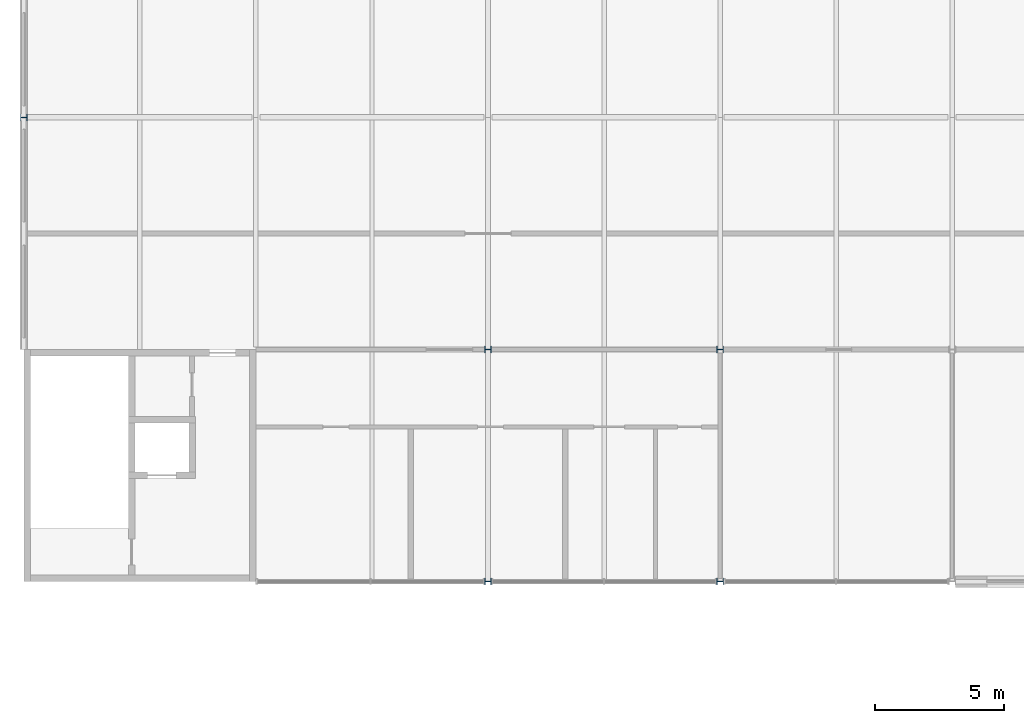
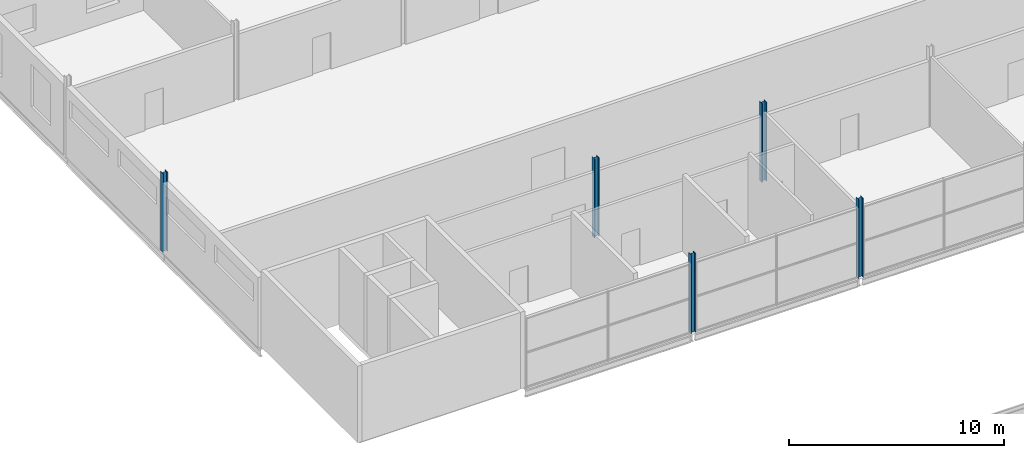
# One storey, part 5 of 138: 5 columns.
"""IFC4 building model written with IfcOpenShell, lengths in metres."""

from ifc_helpers import new_model, si_unit, direction, frame, origin, origin_2d, place, context, subcontext, project, spatial, i_section, extrude, material, material_profile, profile_set, type_object, element, save


model = new_model("IFC4")

# Units and contexts
model_context = context("Model", 3, precision=1e-05, world=origin(), true_north=direction((0.0, 1.0)))
body_context = subcontext(model_context, "Body", "Model", "MODEL_VIEW")
ifc_project = project(units=[si_unit("LENGTHUNIT", "METRE"), si_unit("AREAUNIT", "SQUARE_METRE"), si_unit("VOLUMEUNIT", "CUBIC_METRE"), si_unit("PLANEANGLEUNIT", "RADIAN"), si_unit("MASSUNIT", "GRAM", prefix="KILO")], contexts=[model_context])

# Site, building, storey
site_placement = place(None, origin())
site = spatial("IfcSite", under=ifc_project, at=site_placement, CompositionType="ELEMENT")
building_placement = place(site_placement, origin())
building = spatial("IfcBuilding", under=site, at=building_placement, Name="Corbel Yard City Hall", CompositionType="ELEMENT")
storey_placement = place(building_placement, frame((0.0, 0.0, 10.5)))
storey = spatial("IfcBuildingStorey", under=building, at=storey_placement, Name="L02", CompositionType="ELEMENT", Elevation=10.5)

# Columns
ifc_material = material(Name="Steel Grade 300 (300 MPa yield)", Category="steel")
ifc_material_profile_1 = material_profile(ifc_material, i_section(OverallWidth=0.25390625, OverallDepth=0.25390625, WebThickness=0.008544921875, FlangeThickness=0.01416015625, at=origin_2d()), Name="250UC72.9")
ifc_profile_set_1 = profile_set([ifc_material_profile_1], Name="Steel Grade 300 (300 MPa yield)")
column_type_1 = type_object("IfcColumnType", Name="Column 250UC72.9", PredefinedType="COLUMN", material=ifc_profile_set_1)
for number, where, z_axis, x_axis, name in (
    (1, (0.0, 63.0, 0.0), (0.0, 0.0, 1.0), (0.0, 1.0, 0.0), "Column 250UC72.9 H/1 L02"),
    (2, (18.0, 45.0, 0.0), (0.0, 0.0, 1.0), (0.0, 1.0, 0.0), "Column 250UC72.9 F/3 L02"),
    (3, (27.0, 45.0, 0.0), (0.0, 0.0, 1.0), (0.0, 1.0, 0.0), "Column 250UC72.9 F/4 L02"),
):
    element("IfcColumn", number, at=place(storey_placement, frame(where, z_axis=z_axis, x_axis=x_axis)), inside=storey, type_object=column_type_1, Name=name, PredefinedType="COLUMN", context=body_context, shape_type="SweptSolid", body=[
        extrude(i_section(OverallWidth=0.25390625, OverallDepth=0.25390625, WebThickness=0.008544921875, FlangeThickness=0.01416015625, at=origin_2d()), origin(), (0.0, 0.0, 1.0), 4.5),
    ])
ifc_material_profile_2 = material_profile(ifc_material, i_section(OverallWidth=0.256103515625, OverallDepth=0.260009765625, WebThickness=0.010498046875, FlangeThickness=0.017333984375, at=origin_2d()), Name="250UC89.5")
ifc_profile_set_2 = profile_set([ifc_material_profile_2], Name="Steel Grade 300 (300 MPa yield)")
column_type_2 = type_object("IfcColumnType", Name="Column 250UC89.5", PredefinedType="COLUMN", material=ifc_profile_set_2)
for number, where, z_axis, x_axis, name in (
    (4, (18.0, 54.0, 0.0), (0.0, 0.0, 1.0), (0.0, 1.0, 0.0), "Column 250UC89.5 G/3 L02"),
    (5, (27.0, 54.0, 0.0), (0.0, 0.0, 1.0), (0.0, 1.0, 0.0), "Column 250UC89.5 G/4 L02"),
):
    element("IfcColumn", number, at=place(storey_placement, frame(where, z_axis=z_axis, x_axis=x_axis)), inside=storey, type_object=column_type_2, Name=name, PredefinedType="COLUMN", context=body_context, shape_type="SweptSolid", body=[
        extrude(i_section(OverallWidth=0.256103515625, OverallDepth=0.260009765625, WebThickness=0.010498046875, FlangeThickness=0.017333984375, at=origin_2d()), origin(), (0.0, 0.0, 1.0), 4.5),
    ])

save(model, "model.ifc")
